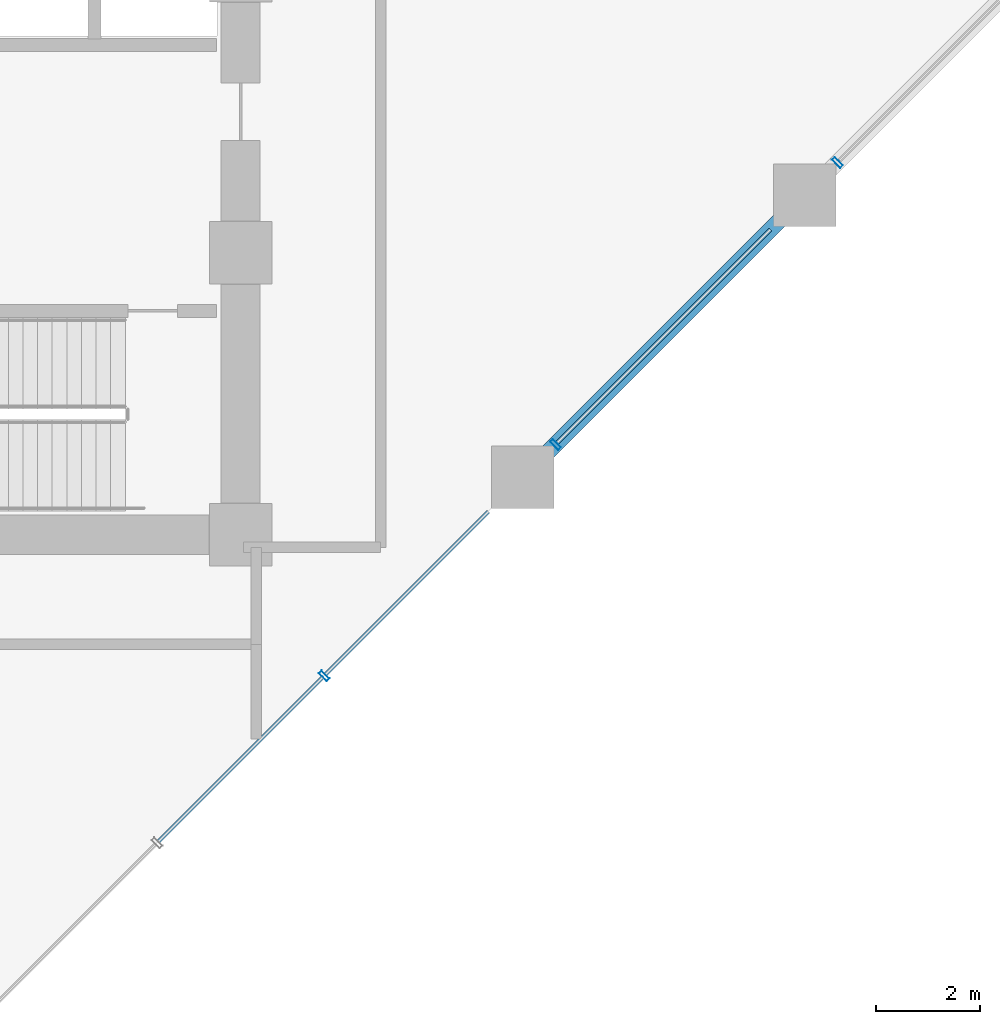
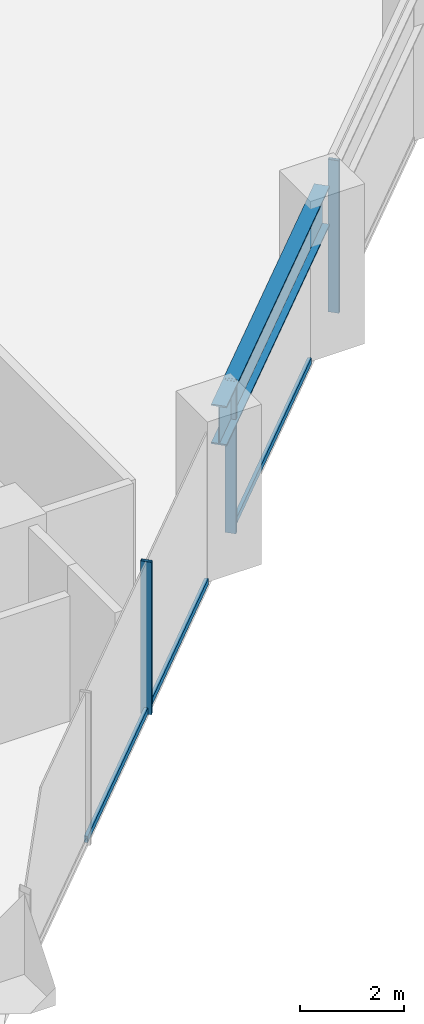
# One storey, part 8 of 26: 6 members, 1 beam, 1 element without a shape of its own.
"""IFC4 building model written with IfcOpenShell, lengths in metres."""

from ifc_helpers import new_model, si_unit, direction, frame, origin, origin_2d, place, context, subcontext, project, spatial, hollow_rectangle, i_section, extrude, material, layer, layer_set, material_profile, profile_set, type_object, element, aggregate, save


model = new_model("IFC4")

# Units and contexts
model_context = context("Model", 3, precision=1e-05, world=origin(), true_north=direction((0.0, 1.0)))
body_context = subcontext(model_context, "Body", "Model", "MODEL_VIEW")
ifc_project = project(units=[si_unit("LENGTHUNIT", "METRE"), si_unit("AREAUNIT", "SQUARE_METRE"), si_unit("VOLUMEUNIT", "CUBIC_METRE"), si_unit("PLANEANGLEUNIT", "RADIAN"), si_unit("MASSUNIT", "GRAM", prefix="KILO")], contexts=[model_context])

# Site, building, storey
site_placement = place(None, origin())
site = spatial("IfcSite", under=ifc_project, at=site_placement, CompositionType="ELEMENT")
building_placement = place(site_placement, origin())
building = spatial("IfcBuilding", under=site, at=building_placement, Name="Surkhivell Harbour Commons", CompositionType="ELEMENT")
storey_placement = place(building_placement, frame((0.0, 0.0, 60.0)))
storey = spatial("IfcBuildingStorey", under=building, at=storey_placement, Name="L15", CompositionType="ELEMENT", Elevation=60.0)

# Beam
ifc_material_1 = material(Name="Steel S460", Category="steel")
ifc_material_profile_1 = material_profile(ifc_material_1, i_section(OverallWidth=0.30810546875, OverallDepth=0.927001953125, WebThickness=0.01953125, FlangeThickness=0.031982421875, at=origin_2d()), Name="UB914x305x289")
ifc_profile_set_1 = profile_set([ifc_material_profile_1], Name="Steel S460")
beam_type = type_object("IfcBeamType", Name="BM-SPN-914B", PredefinedType="SPANDREL", material=ifc_profile_set_1)
beam_placement = place(storey_placement, frame((16.199951171875, -9.699951171875, 3.1064453125), z_axis=(0.707122765516, 0.707090796496, 0.0), x_axis=(-0.707090796496, 0.707122765516, 0.0)))
element("IfcBeam", 1, at=beam_placement, inside=storey, type_object=beam_type, Name="L15 Tube Spandrel (16.2,-9.7)", PredefinedType="SPANDREL", context=body_context, shape_type="SweptSolid", body=[
    extrude(i_section(OverallWidth=0.30810546875, OverallDepth=0.927001953125, WebThickness=0.01953125, FlangeThickness=0.031982421875, at=origin_2d()), origin(), (0.0, 0.0, 1.0), 7.63671875),
])

# Curtain wall, members
ifc_material_2 = material(Name="Anodised pale-metal aluminium and insulated glazing", Category="aluminium")
ifc_layer = layer(ifc_material_2, 0.219970703125)
ifc_layer_set = layer_set([ifc_layer], Name="Anodised pale-metal aluminium and insulated glazing")
curtain_wall_type = type_object("IfcCurtainWallType", Name="CW-SYS-Z1", PredefinedType="NOTDEFINED", material=ifc_layer_set)
curtain_wall_placement = place(storey_placement, origin())
curtain_wall = element("IfcCurtainWall", 2, at=curtain_wall_placement, inside=storey, type_object=curtain_wall_type, Name="L15 Curtain Wall CW-L15-E01", PredefinedType="NOTDEFINED")
ifc_material_3 = material(Name="Anodised pale-metal aluminium alloy 6063-T6", Category="aluminium")
ifc_material_profile_2 = material_profile(ifc_material_3, hollow_rectangle(XDim=0.074951171875, YDim=0.219970703125, WallThickness=0.00390625, at=origin_2d()), Name="ALU-MULL-75x220")
ifc_profile_set_2 = profile_set([ifc_material_profile_2], Name="Anodised pale-metal aluminium alloy 6063-T6")
member_type_1 = type_object("IfcMemberType", Name="CWM-220", PredefinedType="MULLION", material=ifc_profile_set_2)
member_1_placement = place(storey_placement, frame((12.3994140625, -13.50048828125, 0.0), z_axis=(0.0, 0.0, 1.0), x_axis=(0.707106781187, 0.707106781187, 0.0)))
member_1 = element("IfcMember", 3, at=member_1_placement, type_object=member_type_1, Name="CW-Z1 mullion 4", PredefinedType="MULLION", context=body_context, shape_type="SweptSolid", body=[
    extrude(hollow_rectangle(XDim=0.074951171875, YDim=0.219970703125, WallThickness=0.00390625, at=origin_2d()), origin(), (0.0, 0.0, 1.0), 3.570068359375),
])
member_2_placement = place(storey_placement, frame((16.828369140625, -9.07177734375, 0.0), z_axis=(0.0, 0.0, 1.0), x_axis=(0.707106781187, 0.707106781187, 0.0)))
member_2 = element("IfcMember", 4, at=member_2_placement, type_object=member_type_1, Name="CW-Z1 mullion 5", PredefinedType="MULLION", context=body_context, shape_type="SweptSolid", body=[
    extrude(hollow_rectangle(XDim=0.074951171875, YDim=0.219970703125, WallThickness=0.00390625, at=origin_2d()), origin(), (0.0, 0.0, 1.0), 3.570068359375),
])
member_3_placement = place(storey_placement, frame((22.228271484375, -3.671630859375, 0.0), z_axis=(0.0, 0.0, 1.0), x_axis=(0.707106781187, 0.707106781187, 0.0)))
member_3 = element("IfcMember", 5, at=member_3_placement, type_object=member_type_1, Name="CW-Z1 mullion 6", PredefinedType="MULLION", context=body_context, shape_type="SweptSolid", body=[
    extrude(hollow_rectangle(XDim=0.074951171875, YDim=0.219970703125, WallThickness=0.00390625, at=origin_2d()), origin(), (0.0, 0.0, 1.0), 3.570068359375),
])
ifc_material_profile_3 = material_profile(ifc_material_3, hollow_rectangle(XDim=0.074951171875, YDim=0.14990234375, WallThickness=0.00341796875, at=origin_2d()), Name="ALU-TRAN-75x150")
ifc_profile_set_3 = profile_set([ifc_material_profile_3], Name="Anodised pale-metal aluminium alloy 6063-T6")
member_type_2 = type_object("IfcMemberType", Name="CWT-150", PredefinedType="USERDEFINED", material=ifc_profile_set_3)
member_4_placement = place(storey_placement, frame((9.22705078125, -16.6728515625, 0.074951171875), z_axis=(0.707106781187, 0.707106781187, 0.0), x_axis=(-0.707106781187, 0.707106781187, 0.0)))
member_4 = element("IfcMember", 6, at=member_4_placement, type_object=member_type_2, Name="CW-Z1 transom 3.1", ObjectType="TRANSOM", PredefinedType="USERDEFINED", context=body_context, shape_type="SweptSolid", body=[
    extrude(hollow_rectangle(XDim=0.074951171875, YDim=0.14990234375, WallThickness=0.00341796875, at=origin_2d()), origin(), (0.0, 0.0, 1.0), 4.44873046875),
])
member_5_placement = place(storey_placement, frame((12.426025390625, -13.47412109375, 0.074951171875), z_axis=(0.707079108482, 0.707134452808, 0.0), x_axis=(-0.707134452808, 0.707079108482, 0.0)))
member_5 = element("IfcMember", 7, at=member_5_placement, type_object=member_type_2, Name="CW-Z1 transom 4.1", ObjectType="TRANSOM", PredefinedType="USERDEFINED", context=body_context, shape_type="SweptSolid", body=[
    extrude(hollow_rectangle(XDim=0.074951171875, YDim=0.14990234375, WallThickness=0.00341796875, at=origin_2d()), origin(), (0.0, 0.0, 1.0), 4.411376953125),
])
member_6_placement = place(storey_placement, frame((16.854736328125, -9.045166015625, 0.074951171875), z_axis=(0.707127882868, 0.707085678876, 0.0), x_axis=(-0.707085678876, 0.707127882868, 0.0)))
member_6 = element("IfcMember", 8, at=member_6_placement, type_object=member_type_2, Name="CW-Z1 transom 5.1", ObjectType="TRANSOM", PredefinedType="USERDEFINED", context=body_context, shape_type="SweptSolid", body=[
    extrude(hollow_rectangle(XDim=0.074951171875, YDim=0.14990234375, WallThickness=0.00341796875, at=origin_2d()), origin(), (0.0, 0.0, 1.0), 5.78466796875),
])
aggregate(curtain_wall, [member_1, member_4, member_5, member_2, member_6, member_3])

save(model, "model.ifc")
